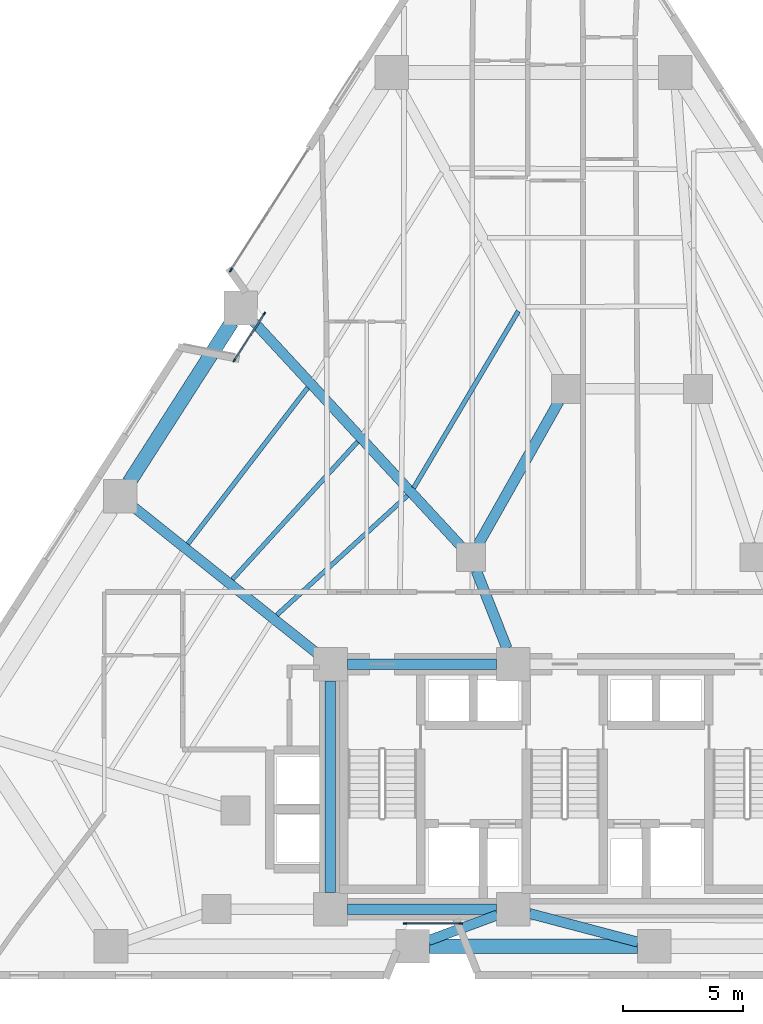
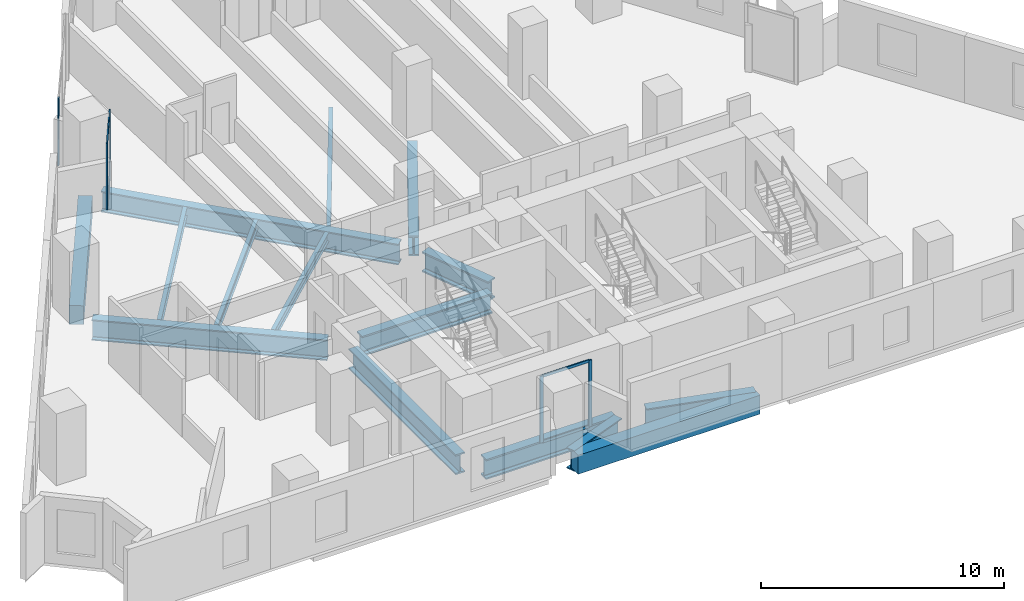
# One storey, part 2 of 13: 15 beams, 9 members, 3 elements without a shape of their own.
"""IFC4 building model written with IfcOpenShell, lengths in metres."""

from ifc_helpers import new_model, si_unit, direction, frame, origin, origin_2d, place, context, subcontext, project, spatial, rectangle, i_section, extrude, material, layer, layer_set, material_profile, profile_set, type_object, element, aggregate, save


model = new_model("IFC4")

# Units and contexts
model_context = context("Model", 3, precision=1e-05, world=origin(), true_north=direction((0.0, 1.0)))
body_context = subcontext(model_context, "Body", "Model", "MODEL_VIEW")
ifc_project = project(units=[si_unit("LENGTHUNIT", "METRE"), si_unit("AREAUNIT", "SQUARE_METRE"), si_unit("VOLUMEUNIT", "CUBIC_METRE"), si_unit("PLANEANGLEUNIT", "RADIAN"), si_unit("MASSUNIT", "GRAM", prefix="KILO")], contexts=[model_context])

# Site, building, storey
site_placement = place(None, origin())
site = spatial("IfcSite", under=ifc_project, at=site_placement, CompositionType="ELEMENT")
building_placement = place(site_placement, origin())
building = spatial("IfcBuilding", under=site, at=building_placement, Name="Almagre Mirador Tower", CompositionType="ELEMENT")
storey_placement = place(building_placement, frame((0.0, 0.0, 49.800048828125)))
storey = spatial("IfcBuildingStorey", under=building, at=storey_placement, Name="L11", CompositionType="ELEMENT", Elevation=49.800048828125)

# Beams
ifc_material_1 = material(Name="Steel ASTM A992 Grade 50", Category="steel")
ifc_material_profile_1 = material_profile(ifc_material_1, i_section(OverallWidth=0.19091796875, OverallDepth=0.4599609375, WebThickness=0.010009765625, FlangeThickness=0.01611328125, FilletRadius=0.01611328125, at=origin_2d()), Name="W18X55")
ifc_profile_set_1 = profile_set([ifc_material_profile_1], Name="Steel ASTM A992 Grade 50")
beam_type_1 = type_object("IfcBeamType", Name="BM-JST-W18X55", PredefinedType="JOIST", material=ifc_profile_set_1)
beam_1_placement = place(storey_placement, frame((35.364990234375, 29.43359375, -0.47998046875), z_axis=(-0.509402085544, -0.860528625464, 0.0), x_axis=(0.860528625464, -0.509402085544, 0.0)))
element("IfcBeam", 1, at=beam_1_placement, inside=storey, type_object=beam_type_1, Name="L11 secondary floor joist PC09-PC10.3", PredefinedType="JOIST", context=body_context, shape_type="SweptSolid", body=[
    extrude(i_section(OverallWidth=0.19091796875, OverallDepth=0.4599609375, WebThickness=0.010009765625, FlangeThickness=0.01611328125, FilletRadius=0.01611328125, at=origin_2d()), origin(), (0.0, 0.0, 1.0), 8.5439453125),
])
beam_2_placement = place(storey_placement, frame((26.604248046875, 26.25537109375, -0.47998046875), z_axis=(-0.60855411007, -0.793512378679, 0.0), x_axis=(0.793512378679, -0.60855411007, 0.0)))
element("IfcBeam", 2, at=beam_2_placement, inside=storey, type_object=beam_type_1, Name="L11 secondary floor joist PC10-PC11.1", PredefinedType="JOIST", context=body_context, shape_type="SweptSolid", body=[
    extrude(i_section(OverallWidth=0.19091796875, OverallDepth=0.4599609375, WebThickness=0.010009765625, FlangeThickness=0.01611328125, FilletRadius=0.01611328125, at=origin_2d()), origin(), (0.0, 0.0, 1.0), 8.19580078125),
])
beam_3_placement = place(storey_placement, frame((28.677978515625, 24.00634765625, -0.47998046875), z_axis=(-0.672610039323, -0.739997118239, 0.0), x_axis=(0.739997118239, -0.672610039323, 0.0)))
element("IfcBeam", 3, at=beam_3_placement, inside=storey, type_object=beam_type_1, Name="L11 secondary floor joist PC10-PC11.2", PredefinedType="JOIST", context=body_context, shape_type="SweptSolid", body=[
    extrude(i_section(OverallWidth=0.19091796875, OverallDepth=0.4599609375, WebThickness=0.010009765625, FlangeThickness=0.01611328125, FilletRadius=0.01611328125, at=origin_2d()), origin(), (0.0, 0.0, 1.0), 7.745849609375),
])
beam_4_placement = place(storey_placement, frame((30.751220703125, 21.759765625, -0.47998046875), z_axis=(-0.73806232468, -0.674732543225, 0.0), x_axis=(0.674732543225, -0.73806232468, 0.0)))
element("IfcBeam", 4, at=beam_4_placement, inside=storey, type_object=beam_type_1, Name="L11 secondary floor joist PC10-PC11.3", PredefinedType="JOIST", context=body_context, shape_type="SweptSolid", body=[
    extrude(i_section(OverallWidth=0.19091796875, OverallDepth=0.4599609375, WebThickness=0.010009765625, FlangeThickness=0.01611328125, FilletRadius=0.01611328125, at=origin_2d()), origin(), (0.0, 0.0, 1.0), 7.359375),
])
ifc_material_2 = material(Name="Precast concrete C50/60", Category="concrete")
ifc_material_profile_2 = material_profile(ifc_material_2, rectangle(XDim=0.60009765625, YDim=0.949951171875, at=origin_2d()), Name="RC600X950")
ifc_profile_set_2 = profile_set([ifc_material_profile_2], Name="Precast concrete C50/60")
beam_type_2 = type_object("IfcBeamType", Name="BM-SPN-RC600X950", PredefinedType="SPANDREL", material=ifc_profile_set_2)
beam_5_placement = place(storey_placement, frame((31.676025390625, 3.0, -0.72509765625), z_axis=(1.0, 0.0, 0.0), x_axis=(0.0, 1.0, 0.0)))
element("IfcBeam", 5, at=beam_5_placement, inside=storey, type_object=beam_type_2, Name="L11 perimeter spandrel beam PC02-PC03", PredefinedType="SPANDREL", context=body_context, shape_type="SweptSolid", body=[
    extrude(rectangle(XDim=0.60009765625, YDim=0.949951171875, at=origin_2d()), origin(), (0.0, 0.0, 1.0), 8.64794921875),
])
beam_6_placement = place(storey_placement, frame((23.4443359375, 28.983642578125, -0.72509765625), z_axis=(-0.539540486584, -0.841959656597, 0.0), x_axis=(0.841959656597, -0.539540486584, 0.0)))
element("IfcBeam", 6, at=beam_6_placement, inside=storey, type_object=beam_type_2, Name="L11 perimeter spandrel beam PC10-PC11", PredefinedType="SPANDREL", context=body_context, shape_type="SweptSolid", body=[
    extrude(rectangle(XDim=0.60009765625, YDim=0.949951171875, at=origin_2d()), origin(), (0.0, 0.0, 1.0), 7.911376953125),
])
ifc_material_3 = material(Name="Steel ASTM A992 Grade 50", Category="steel")
ifc_material_profile_3 = material_profile(ifc_material_3, i_section(OverallWidth=0.43701171875, OverallDepth=1.010986328125, WebThickness=0.041015625, FlangeThickness=0.073974609375, FilletRadius=0.028076171875, at=origin_2d()), Name="W36X529")
ifc_profile_set_3 = profile_set([ifc_material_profile_3], Name="Steel ASTM A992 Grade 50")
beam_type_3 = type_object("IfcBeamType", Name="BM-STL-W36X529", PredefinedType="BEAM", material=ifc_profile_set_3)
for number, where, z_axis, x_axis, name in (
    (7, (28.25, 4.550048828125, -0.755615234375), (1.0, 0.0, 0.0), (0.0, 1.0, 0.0), "L11 core tie girder CC1-CC2"),
    (8, (28.25, 14.75, -0.755615234375), (1.0, 0.0, 0.0), (0.0, 1.0, 0.0), "L11 core tie girder CC4-CC5"),
):
    element("IfcBeam", number, at=place(storey_placement, frame(where, z_axis=z_axis, x_axis=x_axis)), inside=storey, type_object=beam_type_3, Name=name, PredefinedType="BEAM", context=body_context, shape_type="SweptSolid", body=[
        extrude(i_section(OverallWidth=0.43701171875, OverallDepth=1.010986328125, WebThickness=0.041015625, FlangeThickness=0.073974609375, FilletRadius=0.028076171875, at=origin_2d()), origin(), (0.0, 0.0, 1.0), 6.199951171875),
    ])
beam_7_placement = place(storey_placement, frame((27.550048828125, 5.25, -0.755615234375), z_axis=(0.0, 1.0, 0.0), x_axis=(-1.0, 0.0, 0.0)))
element("IfcBeam", 9, at=beam_7_placement, inside=storey, type_object=beam_type_3, Name="L11 core tie girder CC1-CC4", PredefinedType="BEAM", context=body_context, shape_type="SweptSolid", body=[
    extrude(i_section(OverallWidth=0.43701171875, OverallDepth=1.010986328125, WebThickness=0.041015625, FlangeThickness=0.073974609375, FilletRadius=0.028076171875, at=origin_2d()), origin(), (0.0, 0.0, 1.0), 8.800048828125),
])
beam_8_placement = place(storey_placement, frame((37.05517578125, 25.677490234375, -0.755615234375), z_axis=(-0.491440637516, -0.870911074564, 0.0), x_axis=(0.870911074564, -0.491440637516, 0.0)))
element("IfcBeam", 10, at=beam_8_placement, inside=storey, type_object=beam_type_3, Name="L11 core tie girder MC7-MC8", PredefinedType="BEAM", context=body_context, shape_type="SweptSolid", body=[
    extrude(i_section(OverallWidth=0.43701171875, OverallDepth=1.010986328125, WebThickness=0.041015625, FlangeThickness=0.073974609375, FilletRadius=0.028076171875, at=origin_2d()), origin(), (0.0, 0.0, 1.0), 6.837646484375),
])
beam_9_placement = place(storey_placement, frame((33.61962890625, 18.6416015625, -0.755615234375), z_axis=(0.365956076985, -0.93063212373, 0.0), x_axis=(0.93063212373, 0.365956076985, 0.0)))
element("IfcBeam", 11, at=beam_9_placement, inside=storey, type_object=beam_type_3, Name="L11 core tie girder MC8-CC5", PredefinedType="BEAM", context=body_context, shape_type="SweptSolid", body=[
    extrude(i_section(OverallWidth=0.43701171875, OverallDepth=1.010986328125, WebThickness=0.041015625, FlangeThickness=0.073974609375, FilletRadius=0.028076171875, at=origin_2d()), origin(), (0.0, 0.0, 1.0), 3.481689453125),
])
ifc_material_4 = material(Name="Steel ASTM A913 Grade 65", Category="steel")
ifc_material_profile_4 = material_profile(ifc_material_4, i_section(OverallWidth=0.4189453125, OverallDepth=1.041015625, WebThickness=0.031005859375, FlangeThickness=0.055908203125, FilletRadius=0.030029296875, at=origin_2d()), Name="W40X397")
ifc_profile_set_4 = profile_set([ifc_material_profile_4], Name="Steel ASTM A913 Grade 65")
beam_type_4 = type_object("IfcBeamType", Name="BM-STL-W40X397", PredefinedType="BEAM", material=ifc_profile_set_4)
beam_10_placement = place(storey_placement, frame((31.632080078125, 3.24365234375, -0.7705078125), z_axis=(0.937448389948, 0.348124282669, 0.0), x_axis=(-0.348124282669, 0.937448389948, 0.0)))
element("IfcBeam", 12, at=beam_10_placement, inside=storey, type_object=beam_type_4, Name="L11 radial floor girder PC02-CC2", PredefinedType="BEAM", context=body_context, shape_type="SweptSolid", body=[
    extrude(i_section(OverallWidth=0.4189453125, OverallDepth=1.041015625, WebThickness=0.031005859375, FlangeThickness=0.055908203125, FilletRadius=0.030029296875, at=origin_2d()), origin(), (0.0, 0.0, 1.0), 3.052734375),
])
beam_11_placement = place(storey_placement, frame((40.34716796875, 3.1787109375, -0.7705078125), z_axis=(-0.966911988655, 0.255110184422, 0.0), x_axis=(-0.255110184422, -0.966911988655, 0.0)))
element("IfcBeam", 13, at=beam_11_placement, inside=storey, type_object=beam_type_4, Name="L11 radial floor girder PC03-CC2", PredefinedType="BEAM", context=body_context, shape_type="SweptSolid", body=[
    extrude(i_section(OverallWidth=0.4189453125, OverallDepth=1.041015625, WebThickness=0.031005859375, FlangeThickness=0.055908203125, FilletRadius=0.030029296875, at=origin_2d()), origin(), (0.0, 0.0, 1.0), 4.675048828125),
])
beam_12_placement = place(storey_placement, frame((24.296875, 29.05859375, -0.7705078125), z_axis=(0.678396377754, -0.734696096798, 0.0), x_axis=(0.734696096798, 0.678396377754, 0.0)))
element("IfcBeam", 14, at=beam_12_placement, inside=storey, type_object=beam_type_4, Name="L11 radial floor girder PC10-MC8", PredefinedType="BEAM", context=body_context, shape_type="SweptSolid", body=[
    extrude(i_section(OverallWidth=0.4189453125, OverallDepth=1.041015625, WebThickness=0.031005859375, FlangeThickness=0.055908203125, FilletRadius=0.030029296875, at=origin_2d()), origin(), (0.0, 0.0, 1.0), 12.818603515625),
])
beam_13_placement = place(storey_placement, frame((19.34521484375, 21.29638671875, -0.7705078125), z_axis=(0.78167052396, -0.623691584015, 0.0), x_axis=(0.623691584015, 0.78167052396, 0.0)))
element("IfcBeam", 15, at=beam_13_placement, inside=storey, type_object=beam_type_4, Name="L11 radial floor girder PC11-CC4", PredefinedType="BEAM", context=body_context, shape_type="SweptSolid", body=[
    extrude(i_section(OverallWidth=0.4189453125, OverallDepth=1.041015625, WebThickness=0.031005859375, FlangeThickness=0.055908203125, FilletRadius=0.030029296875, at=origin_2d()), origin(), (0.0, 0.0, 1.0), 9.79638671875),
])

# Curtain wall, members
ifc_material_5 = material(Name="Black anodized aluminium", Category="aluminium")
ifc_layer_1 = layer(ifc_material_5, 0.169921875)
ifc_layer_set_1 = layer_set([ifc_layer_1], Name="Black anodized aluminium")
curtain_wall_type_1 = type_object("IfcCurtainWallType", Name="CW-CRS-SYS", PredefinedType="NOTDEFINED", material=ifc_layer_set_1)
curtain_wall_1_placement = place(storey_placement, origin())
curtain_wall_1 = element("IfcCurtainWall", 16, at=curtain_wall_1_placement, inside=storey, type_object=curtain_wall_type_1, Name="L11 vertical crease curtain wall 01", PredefinedType="NOTDEFINED")
ifc_material_6 = material(Name="Black anodized aluminium", Category="aluminium")
ifc_material_profile_5 = material_profile(ifc_material_6, rectangle(XDim=0.06005859375, YDim=0.14990234375, at=origin_2d()), Name="CWM60X150")
ifc_profile_set_5 = profile_set([ifc_material_profile_5], Name="Black anodized aluminium")
member_type_1 = type_object("IfcMemberType", Name="MBR-CWM60X150", PredefinedType="MULLION", material=ifc_profile_set_5)
member_1_placement = place(storey_placement, frame((23.549560546875, 27.387451171875, 0.0), z_axis=(0.0, 0.0, 1.0), x_axis=(-0.841762109764, 0.539848636718, 0.0)))
member_1 = element("IfcMember", 17, at=member_1_placement, type_object=member_type_1, Name="CW-4 mullion 1", PredefinedType="MULLION", context=body_context, shape_type="SweptSolid", body=[
    extrude(rectangle(XDim=0.06005859375, YDim=0.14990234375, at=origin_2d()), origin(), (0.0, 0.0, 1.0), 3.349853515625),
])
member_2_placement = place(storey_placement, frame((24.79638671875, 29.33154296875, 0.0), z_axis=(0.0, 0.0, 1.0), x_axis=(-0.841762109764, 0.539848636718, 0.0)))
member_2 = element("IfcMember", 18, at=member_2_placement, type_object=member_type_1, Name="CW-4 mullion 2", PredefinedType="MULLION", context=body_context, shape_type="SweptSolid", body=[
    extrude(rectangle(XDim=0.06005859375, YDim=0.14990234375, at=origin_2d()), origin(), (0.0, 0.0, 1.0), 3.349853515625),
])

curtain_wall_2_placement = place(storey_placement, origin())
curtain_wall_2 = element("IfcCurtainWall", 19, at=curtain_wall_2_placement, inside=storey, type_object=curtain_wall_type_1, Name="L11 vertical crease curtain wall 04", PredefinedType="NOTDEFINED")
member_3_placement = place(storey_placement, frame((32.962890625, 3.949951171875, 0.0), z_axis=(0.0, 0.0, 1.0), x_axis=(0.0, -1.0, 0.0)))
member_3 = element("IfcMember", 20, at=member_3_placement, type_object=member_type_1, Name="CW-4 mullion 1", PredefinedType="MULLION", context=body_context, shape_type="SweptSolid", body=[
    extrude(rectangle(XDim=0.06005859375, YDim=0.14990234375, at=origin_2d()), origin(), (0.0, 0.0, 1.0), 3.349853515625),
])
member_4_placement = place(storey_placement, frame((30.653076171875, 3.949951171875, 0.0), z_axis=(0.0, 0.0, 1.0), x_axis=(0.0, -1.0, 0.0)))
member_4 = element("IfcMember", 21, at=member_4_placement, type_object=member_type_1, Name="CW-4 mullion 2", PredefinedType="MULLION", context=body_context, shape_type="SweptSolid", body=[
    extrude(rectangle(XDim=0.06005859375, YDim=0.14990234375, at=origin_2d()), origin(), (0.0, 0.0, 1.0), 3.349853515625),
])

# Curtain wall, member
ifc_material_7 = material(Name="Black anodized aluminium", Category="aluminium")
ifc_layer_2 = layer(ifc_material_7, 0.18994140625)
ifc_layer_set_2 = layer_set([ifc_layer_2], Name="Black anodized aluminium")
curtain_wall_type_2 = type_object("IfcCurtainWallType", Name="CW-RES-L-SYS", PredefinedType="NOTDEFINED", material=ifc_layer_set_2)
curtain_wall_3_placement = place(storey_placement, origin())
curtain_wall_3 = element("IfcCurtainWall", 22, at=curtain_wall_3_placement, inside=storey, type_object=curtain_wall_type_2, Name="L11 curtain wall run 02", PredefinedType="NOTDEFINED")
ifc_material_8 = material(Name="Black anodized aluminium", Category="aluminium")
ifc_material_profile_6 = material_profile(ifc_material_8, rectangle(XDim=0.06494140625, YDim=0.179931640625, at=origin_2d()), Name="CWM65X180")
ifc_profile_set_6 = profile_set([ifc_material_profile_6], Name="Black anodized aluminium")
member_type_2 = type_object("IfcMemberType", Name="MBR-CWM65X180", PredefinedType="MULLION", material=ifc_profile_set_6)
member_5_placement = place(storey_placement, frame((23.405517578125, 31.146484375, 0.0), z_axis=(0.0, 0.0, 1.0), x_axis=(-0.841967002982, 0.539529022287, 0.0)))
member_5 = element("IfcMember", 23, at=member_5_placement, type_object=member_type_2, Name="CW-2 mullion 1", PredefinedType="MULLION", context=body_context, shape_type="SweptSolid", body=[
    extrude(rectangle(XDim=0.06494140625, YDim=0.179931640625, at=origin_2d()), origin(), (0.0, 0.0, 1.0), 3.349853515625),
])
aggregate(curtain_wall_3, [member_5])

# Member
ifc_material_9 = material(Name="Black anodized aluminium", Category="aluminium")
ifc_material_profile_7 = material_profile(ifc_material_9, rectangle(XDim=0.06005859375, YDim=0.1298828125, at=origin_2d()), Name="CWT60X130")
ifc_profile_set_7 = profile_set([ifc_material_profile_7], Name="Black anodized aluminium")
member_type_3 = type_object("IfcMemberType", Name="MBR-CWT60X130", PredefinedType="USERDEFINED", material=ifc_profile_set_7)
member_6_placement = place(storey_placement, frame((23.565673828125, 27.41259765625, 0.030029296875), z_axis=(0.539863308408, 0.841752700165, 0.0), x_axis=(-0.841752700165, 0.539863308408, 0.0)))
member_6 = element("IfcMember", 24, at=member_6_placement, type_object=member_type_3, Name="CW-4 transom 1.1", ObjectType="TRANSOM", PredefinedType="USERDEFINED", context=body_context, shape_type="SweptSolid", body=[
    extrude(rectangle(XDim=0.06005859375, YDim=0.1298828125, at=origin_2d()), origin(), (0.0, 0.0, 1.0), 2.249755859375),
])

member_7_placement = place(storey_placement, frame((23.565673828125, 27.41259765625, 3.320068359375), z_axis=(0.539863308408, 0.841752700165, 0.0), x_axis=(-0.841752700165, 0.539863308408, 0.0)))
member_7 = element("IfcMember", 25, at=member_7_placement, type_object=member_type_3, Name="CW-4 transom 1.2", ObjectType="TRANSOM", PredefinedType="USERDEFINED", context=body_context, shape_type="SweptSolid", body=[
    extrude(rectangle(XDim=0.06005859375, YDim=0.1298828125, at=origin_2d()), origin(), (0.0, 0.0, 1.0), 2.249755859375),
])

aggregate(curtain_wall_1, [member_1, member_2, member_6, member_7])

member_8_placement = place(storey_placement, frame((32.93310546875, 3.949951171875, 0.030029296875), z_axis=(-1.0, 0.0, 0.0), x_axis=(0.0, -1.0, 0.0)))
member_8 = element("IfcMember", 26, at=member_8_placement, type_object=member_type_3, Name="CW-4 transom 1.1", ObjectType="TRANSOM", PredefinedType="USERDEFINED", context=body_context, shape_type="SweptSolid", body=[
    extrude(rectangle(XDim=0.06005859375, YDim=0.1298828125, at=origin_2d()), origin(), (0.0, 0.0, 1.0), 2.25),
])

member_9_placement = place(storey_placement, frame((32.93310546875, 3.949951171875, 3.320068359375), z_axis=(-1.0, 0.0, 0.0), x_axis=(0.0, -1.0, 0.0)))
member_9 = element("IfcMember", 27, at=member_9_placement, type_object=member_type_3, Name="CW-4 transom 1.2", ObjectType="TRANSOM", PredefinedType="USERDEFINED", context=body_context, shape_type="SweptSolid", body=[
    extrude(rectangle(XDim=0.06005859375, YDim=0.1298828125, at=origin_2d()), origin(), (0.0, 0.0, 1.0), 2.25),
])

aggregate(curtain_wall_2, [member_3, member_4, member_8, member_9])

save(model, "model.ifc")
